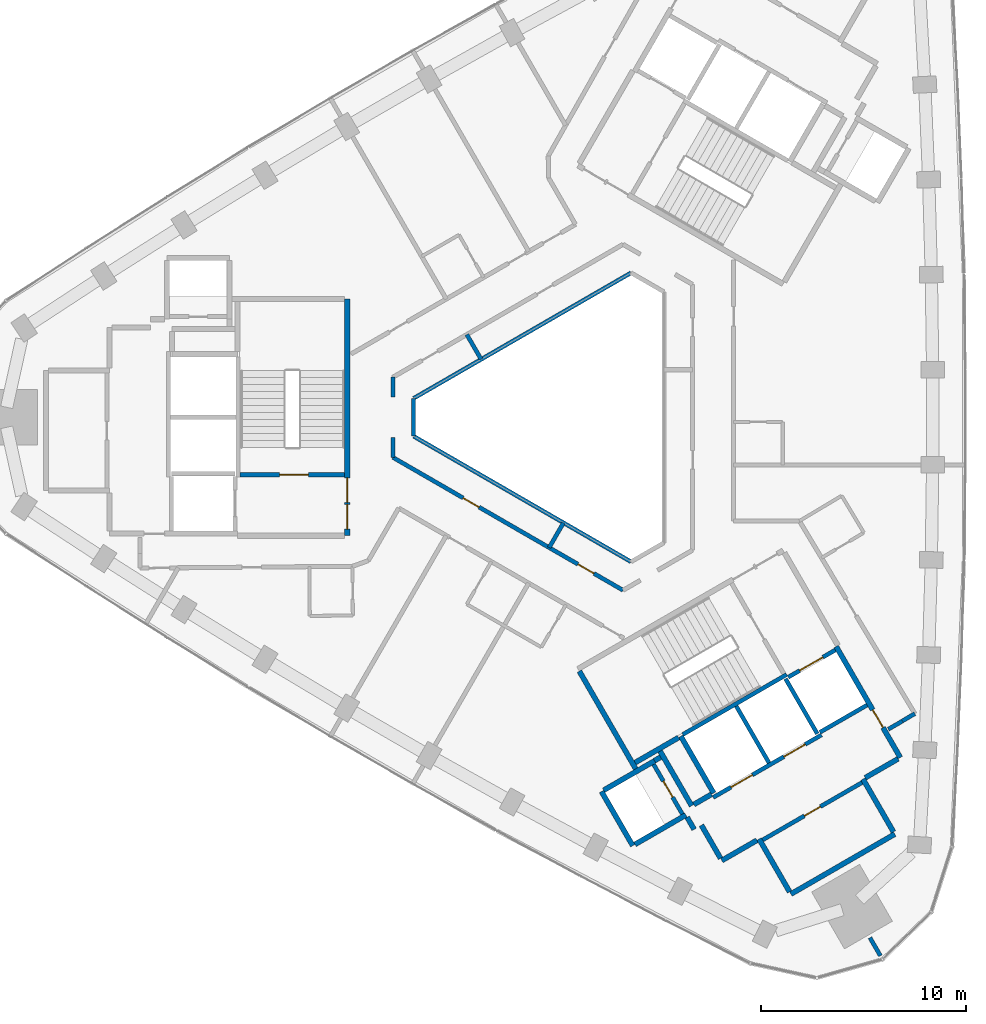
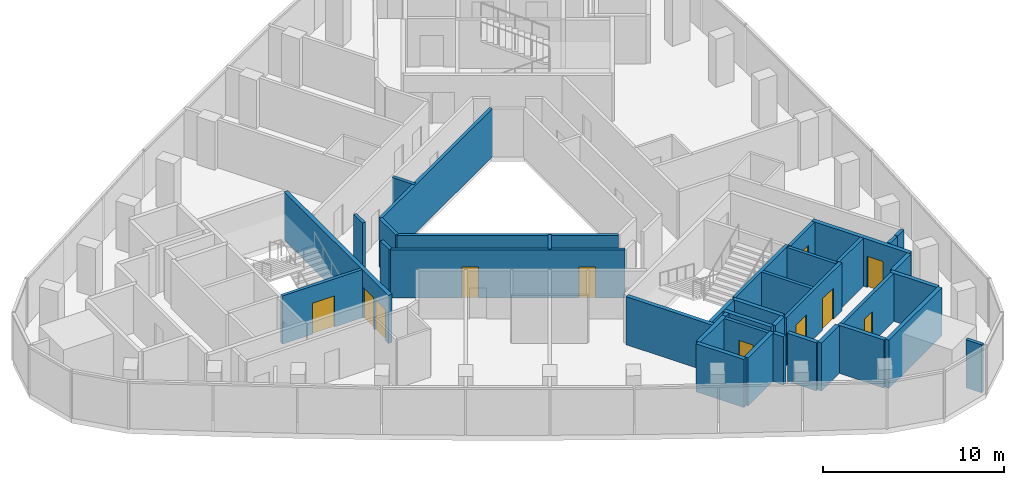
# One storey, part 8 of 12: 38 walls, 11 doors, 11 openings.
"""IFC4 building model written with IfcOpenShell, lengths in metres."""

from ifc_helpers import new_model, si_unit, direction, frame, frame_2d, origin, place, context, subcontext, project, spatial, rectangle, extrude, material, layer, layer_set, type_object, element, fill, save


model = new_model("IFC4")

# Units and contexts
model_context = context("Model", 3, precision=1e-05, world=origin(), true_north=direction((0.0, 1.0)))
body_context = subcontext(model_context, "Body", "Model", "MODEL_VIEW")
ifc_project = project(units=[si_unit("LENGTHUNIT", "METRE"), si_unit("AREAUNIT", "SQUARE_METRE"), si_unit("VOLUMEUNIT", "CUBIC_METRE"), si_unit("PLANEANGLEUNIT", "RADIAN"), si_unit("MASSUNIT", "GRAM", prefix="KILO")], contexts=[model_context])

# Site, building, storey
site_placement = place(None, origin())
site = spatial("IfcSite", under=ifc_project, at=site_placement, CompositionType="ELEMENT")
building_placement = place(site_placement, origin())
building = spatial("IfcBuilding", under=site, at=building_placement, Name="Tamra Quay Hotel Tower", CompositionType="ELEMENT")
storey_placement = place(building_placement, frame((0.0, 0.0, 179.199951171875)))
storey = spatial("IfcBuildingStorey", under=building, at=storey_placement, Name="L44", CompositionType="ELEMENT", Elevation=179.199951171875)

# Wall, opening, door
ifc_material_1 = material(Name="Concrete M70", Category="concrete")
ifc_layer_1 = layer(ifc_material_1, 0.199951171875)
ifc_layer_set_1 = layer_set([ifc_layer_1], Name="Concrete M70 core wall 200")
wall_type_1 = type_object("IfcWallType", Name="Concrete M70 core wall 200", PredefinedType="SHEAR", material=ifc_layer_set_1)
wall_1_placement = place(storey_placement, frame((-10.96337890625, -2.800048828125, 0.0), z_axis=(0.0, 0.0, 1.0), x_axis=(-1.0, 0.0, 0.0)))
wall_1 = element("IfcWall", 1, at=wall_1_placement, inside=storey, type_object=wall_type_1, Name="CW2", PredefinedType="SHEAR", context=body_context, shape_type="SweptSolid", body=[
    extrude(rectangle(XDim=5.097900390625, YDim=0.199951171875, at=frame_2d((2.548828125, 0.0))), origin(), (0.0, 0.0, 1.0), 3.25),
])
opening_1_placement = place(wall_1_placement, frame((1.77392578125, 0.0, 0.0)))
opening_1 = element("IfcOpeningElement", 2, at=opening_1_placement, cuts=wall_1, Name="Opening FD2", PredefinedType="OPENING", context=body_context, shape_type="SweptSolid", body=[
    extrude(rectangle(XDim=1.39990234375, YDim=2.10009765625, at=frame_2d((0.699951171875, 1.050048828125))), frame((0.0, 0.10986328125, 0.0), z_axis=(0.0, -1.0, 0.0), x_axis=(1.0, 0.0, 0.0)), (0.0, 0.0, 1.0), 0.219970703125),
])
ifc_material_2 = material(Name="Core door FD2 1400x2100 LH")
door_type_1 = type_object("IfcDoorType", Name="Core door FD2 1400x2100 LH", OperationType="NOTDEFINED", PredefinedType="DOOR", material=ifc_material_2)
door_1_placement = place(opening_1_placement, origin())
door_1 = element("IfcDoor", 3, at=door_1_placement, inside=storey, type_object=door_type_1, Name="FD2", OperationType="SINGLE_SWING_LEFT", OverallHeight=2.10009765625, OverallWidth=1.39990234375, PredefinedType="DOOR", context=body_context, shape_type="SweptSolid", body=[
    extrude(rectangle(XDim=1.39990234375, YDim=2.10009765625, at=frame_2d((0.699951171875, 1.050048828125))), frame((0.0, 0.02490234375, 0.0), z_axis=(0.0, -1.0, 0.0), x_axis=(1.0, 0.0, 0.0)), (0.0, 0.0, 1.0), 0.050048828125),
])
fill(opening_1, door_1)

# Wall
wall_2_placement = place(storey_placement, frame((5.525634765625, -15.47216796875, 0.0), z_axis=(0.0, 0.0, 1.0), x_axis=(0.866041752167, 0.499971682701, 0.0)))
element("IfcWall", 4, at=wall_2_placement, inside=storey, type_object=wall_type_1, Name="CW2", PredefinedType="SHEAR", context=body_context, shape_type="SweptSolid", body=[
    extrude(rectangle(XDim=5.850830078125, YDim=0.199951171875, at=frame_2d((2.92529296875, 0.0))), origin(), (0.0, 0.0, 1.0), 3.25),
])

# Wall, openings, doors
wall_3_placement = place(storey_placement, frame((7.009765625, -18.54150390625, 0.0), z_axis=(0.0, 0.0, 1.0), x_axis=(0.866030299012, 0.499991521122, 0.0)))
wall_3 = element("IfcWall", 5, at=wall_3_placement, inside=storey, type_object=wall_type_1, Name="CW2", PredefinedType="SHEAR", context=body_context, shape_type="SweptSolid", body=[
    extrude(rectangle(XDim=6.10009765625, YDim=0.199951171875, at=frame_2d((3.050048828125, 0.0))), origin(), (0.0, 0.0, 1.0), 3.25),
])
opening_2_placement = place(wall_3_placement, frame((1.0, 0.0, 0.0)))
opening_2 = element("IfcOpeningElement", 6, at=opening_2_placement, cuts=wall_3, Name="Opening LD", PredefinedType="OPENING", context=body_context, shape_type="SweptSolid", body=[
    extrude(rectangle(XDim=1.199951171875, YDim=2.10009765625, at=frame_2d((0.60009765625, 1.050048828125))), frame((0.0, 0.10986328125, 0.0), z_axis=(0.0, -1.0, 0.0), x_axis=(1.0, 0.0, 0.0)), (0.0, 0.0, 1.0), 0.219970703125),
])
opening_3_placement = place(wall_3_placement, frame((3.982177734375, 0.0, 0.0)))
opening_3 = element("IfcOpeningElement", 7, at=opening_3_placement, cuts=wall_3, Name="Opening LD", PredefinedType="OPENING", context=body_context, shape_type="SweptSolid", body=[
    extrude(rectangle(XDim=1.199951171875, YDim=2.10009765625, at=frame_2d((0.60009765625, 1.050048828125))), frame((0.0, 0.10986328125, 0.0), z_axis=(0.0, -1.0, 0.0), x_axis=(1.0, 0.0, 0.0)), (0.0, 0.0, 1.0), 0.219970703125),
])
ifc_material_3 = material(Name="Landing door LD 1200 double door sliding")
door_type_2 = type_object("IfcDoorType", Name="Landing door LD 1200 double door sliding", OperationType="DOUBLE_DOOR_SLIDING", PredefinedType="DOOR", material=ifc_material_3)
door_2_placement = place(opening_2_placement, origin())
door_2 = element("IfcDoor", 8, at=door_2_placement, inside=storey, type_object=door_type_2, Name="LD", OperationType="DOUBLE_DOOR_SLIDING", OverallHeight=2.10009765625, OverallWidth=1.199951171875, PredefinedType="DOOR", context=body_context, shape_type="SweptSolid", body=[
    extrude(rectangle(XDim=1.199951171875, YDim=2.10009765625, at=frame_2d((0.60009765625, 1.050048828125))), frame((0.0, 0.02490234375, 0.0), z_axis=(0.0, -1.0, 0.0), x_axis=(1.0, 0.0, 0.0)), (0.0, 0.0, 1.0), 0.050048828125),
])
fill(opening_2, door_2)
door_3_placement = place(opening_3_placement, origin())
door_3 = element("IfcDoor", 9, at=door_3_placement, inside=storey, type_object=door_type_2, Name="LD", OperationType="DOUBLE_DOOR_SLIDING", OverallHeight=2.10009765625, OverallWidth=1.199951171875, PredefinedType="DOOR", context=body_context, shape_type="SweptSolid", body=[
    extrude(rectangle(XDim=1.199951171875, YDim=2.10009765625, at=frame_2d((0.60009765625, 1.050048828125))), frame((0.0, 0.02490234375, 0.0), z_axis=(0.0, -1.0, 0.0), x_axis=(1.0, 0.0, 0.0)), (0.0, 0.0, 1.0), 0.050048828125),
])
fill(opening_3, door_3)

# Wall, opening, door
wall_4_placement = place(storey_placement, frame((14.26806640625, -17.815185546875, 0.0), z_axis=(0.0, 0.0, 1.0), x_axis=(-0.866033794273, -0.499985466966, 0.0)))
wall_4 = element("IfcWall", 10, at=wall_4_placement, inside=storey, type_object=wall_type_1, Name="CW2", PredefinedType="SHEAR", context=body_context, shape_type="SweptSolid", body=[
    extrude(rectangle(XDim=5.597900390625, YDim=0.199951171875, at=frame_2d((2.798828125, 0.0))), origin(), (0.0, 0.0, 1.0), 3.25),
])
opening_4_placement = place(wall_4_placement, frame((2.34912109375, 0.0, 0.0)))
opening_4 = element("IfcOpeningElement", 11, at=opening_4_placement, cuts=wall_4, Name="Opening D2", PredefinedType="OPENING", context=body_context, shape_type="SweptSolid", body=[
    extrude(rectangle(XDim=0.89990234375, YDim=2.10009765625, at=frame_2d((0.449951171875, 1.050048828125))), frame((0.0, 0.10986328125, 0.0), z_axis=(0.0, -1.0, 0.0), x_axis=(1.0, 0.0, 0.0)), (0.0, 0.0, 1.0), 0.219970703125),
])
ifc_material_4 = material(Name="Core door D2 900x2100 LH")
door_type_3 = type_object("IfcDoorType", Name="Core door D2 900x2100 LH", OperationType="NOTDEFINED", PredefinedType="DOOR", material=ifc_material_4)
door_4_placement = place(opening_4_placement, origin())
door_4 = element("IfcDoor", 12, at=door_4_placement, inside=storey, type_object=door_type_3, Name="D2", OperationType="SINGLE_SWING_LEFT", OverallHeight=2.10009765625, OverallWidth=0.89990234375, PredefinedType="DOOR", context=body_context, shape_type="SweptSolid", body=[
    extrude(rectangle(XDim=0.89990234375, YDim=2.10009765625, at=frame_2d((0.449951171875, 1.050048828125))), frame((0.0, 0.02490234375, 0.0), z_axis=(0.0, -1.0, 0.0), x_axis=(1.0, 0.0, 0.0)), (0.0, 0.0, 1.0), 0.050048828125),
])
fill(opening_4, door_4)

# Wall
wall_5_placement = place(storey_placement, frame((8.131591796875, -14.084228515625, 0.0), z_axis=(0.0, 0.0, 1.0), x_axis=(0.499997778408, -0.866026686418, 0.0)))
element("IfcWall", 13, at=wall_5_placement, inside=storey, type_object=wall_type_1, Name="CW2", PredefinedType="SHEAR", context=body_context, shape_type="SweptSolid", body=[
    extrude(rectangle(XDim=3.1982421875, YDim=0.199951171875, at=frame_2d((1.59912109375, 0.0))), origin(), (0.0, 0.0, 1.0), 3.25),
])

# Wall, opening, door
wall_6_placement = place(storey_placement, frame((5.50341796875, -19.352294921875, 0.0), z_axis=(0.0, 0.0, 1.0), x_axis=(-0.499986818241, 0.866033014143, 0.0)))
wall_6 = element("IfcWall", 14, at=wall_6_placement, inside=storey, type_object=wall_type_1, Name="CW2", PredefinedType="SHEAR", context=body_context, shape_type="SweptSolid", body=[
    extrude(rectangle(XDim=2.7978515625, YDim=0.199951171875, at=frame_2d((1.39892578125, 0.0))), origin(), (0.0, 0.0, 1.0), 3.25),
])
opening_5_placement = place(wall_6_placement, frame((0.948974609375, 0.0, 0.0)))
opening_5 = element("IfcOpeningElement", 15, at=opening_5_placement, cuts=wall_6, Name="Opening D1", PredefinedType="OPENING", context=body_context, shape_type="SweptSolid", body=[
    extrude(rectangle(XDim=0.89990234375, YDim=2.10009765625, at=frame_2d((0.449951171875, 1.050048828125))), frame((0.0, 0.10986328125, 0.0), z_axis=(0.0, -1.0, 0.0), x_axis=(1.0, 0.0, 0.0)), (0.0, 0.0, 1.0), 0.219970703125),
])
ifc_material_5 = material(Name="Core door D1 900x2100 RH")
door_type_4 = type_object("IfcDoorType", Name="Core door D1 900x2100 RH", OperationType="NOTDEFINED", PredefinedType="DOOR", material=ifc_material_5)
door_5_placement = place(opening_5_placement, origin())
door_5 = element("IfcDoor", 16, at=door_5_placement, inside=storey, type_object=door_type_4, Name="D1", OperationType="SINGLE_SWING_RIGHT", OverallHeight=2.10009765625, OverallWidth=0.89990234375, PredefinedType="DOOR", context=body_context, shape_type="SweptSolid", body=[
    extrude(rectangle(XDim=0.89990234375, YDim=2.10009765625, at=frame_2d((0.449951171875, 1.050048828125))), frame((0.0, 0.02490234375, 0.0), z_axis=(0.0, -1.0, 0.0), x_axis=(1.0, 0.0, 0.0)), (0.0, 0.0, 1.0), 0.050048828125),
])
fill(opening_5, door_5)

# Wall
wall_7_placement = place(storey_placement, frame((12.087646484375, -15.4365234375, 0.0), z_axis=(0.0, 0.0, 1.0), x_axis=(-0.500026960575, 0.86600983753, 0.0)))
element("IfcWall", 17, at=wall_7_placement, inside=storey, type_object=wall_type_1, Name="CW2", PredefinedType="SHEAR", context=body_context, shape_type="SweptSolid", body=[
    extrude(rectangle(XDim=3.099853515625, YDim=0.199951171875, at=frame_2d((1.5498046875, 0.0))), origin(), (0.0, 0.0, 1.0), 3.25),
])

# Wall, opening, door
wall_8_placement = place(storey_placement, frame((10.666015625, -12.677734375, 0.0), z_axis=(0.0, 0.0, 1.0), x_axis=(0.866018407898, 0.500012117035, 0.0)))
wall_8 = element("IfcWall", 18, at=wall_8_placement, inside=storey, type_object=wall_type_1, Name="CW2", PredefinedType="SHEAR", context=body_context, shape_type="SweptSolid", body=[
    extrude(rectangle(XDim=2.65087890625, YDim=0.199951171875, at=frame_2d((1.325439453125, 0.0))), origin(), (0.0, 0.0, 1.0), 3.25),
])
opening_6_placement = place(wall_8_placement, frame((0.65185546875, 0.0, 0.0)))
opening_6 = element("IfcOpeningElement", 19, at=opening_6_placement, cuts=wall_8, Name="Opening LD", PredefinedType="OPENING", context=body_context, shape_type="SweptSolid", body=[
    extrude(rectangle(XDim=1.300048828125, YDim=2.10009765625, at=frame_2d((0.64990234375, 1.050048828125))), frame((0.0, 0.10986328125, 0.0), z_axis=(0.0, -1.0, 0.0), x_axis=(1.0, 0.0, 0.0)), (0.0, 0.0, 1.0), 0.219970703125),
])
ifc_material_6 = material(Name="Landing door LD 1300 sliding to right")
door_type_5 = type_object("IfcDoorType", Name="Landing door LD 1300 sliding to right", OperationType="NOTDEFINED", PredefinedType="DOOR", material=ifc_material_6)
door_6_placement = place(opening_6_placement, origin())
door_6 = element("IfcDoor", 20, at=door_6_placement, inside=storey, type_object=door_type_5, Name="LD", OperationType="SLIDING_TO_RIGHT", OverallHeight=2.10009765625, OverallWidth=1.300048828125, PredefinedType="DOOR", context=body_context, shape_type="SweptSolid", body=[
    extrude(rectangle(XDim=1.300048828125, YDim=2.10009765625, at=frame_2d((0.64990234375, 1.050048828125))), frame((0.0, 0.02490234375, 0.0), z_axis=(0.0, -1.0, 0.0), x_axis=(1.0, 0.0, 0.0)), (0.0, 0.0, 1.0), 0.050048828125),
])
fill(opening_6, door_6)

# Wall
wall_9_placement = place(storey_placement, frame((14.51171875, -14.037109375, 0.0), z_axis=(0.0, 0.0, 1.0), x_axis=(-0.866018407898, -0.500012117035, 0.0)))
element("IfcWall", 21, at=wall_9_placement, inside=storey, type_object=wall_type_1, Name="CW2", PredefinedType="SHEAR", context=body_context, shape_type="SweptSolid", body=[
    extrude(rectangle(XDim=2.65087890625, YDim=0.199951171875, at=frame_2d((1.325439453125, 0.0))), origin(), (0.0, 0.0, 1.0), 3.25),
])

# Wall, openings, doors
ifc_layer_2 = layer(ifc_material_1, 0.25)
ifc_layer_set_2 = layer_set([ifc_layer_2], Name="Concrete M70 core wall 250")
wall_type_2 = type_object("IfcWallType", Name="Concrete M70 core wall 250", PredefinedType="SHEAR", material=ifc_layer_set_2)
wall_10_placement = place(storey_placement, frame((-10.83740234375, 5.77490234375, 0.0), z_axis=(0.0, 0.0, 1.0), x_axis=(0.0, -1.0, 0.0)))
wall_10 = element("IfcWall", 22, at=wall_10_placement, inside=storey, type_object=wall_type_2, Name="CW1", PredefinedType="SHEAR", context=body_context, shape_type="SweptSolid", body=[
    extrude(rectangle(XDim=11.5498046875, YDim=0.25, at=frame_2d((5.77490234375, 0.0))), origin(), (0.0, 0.0, 1.0), 3.25),
])
opening_7_placement = place(wall_10_placement, frame((10.02490234375, 0.0, 0.0)))
opening_7 = element("IfcOpeningElement", 23, at=opening_7_placement, cuts=wall_10, Name="Opening FD1", PredefinedType="OPENING", context=body_context, shape_type="SweptSolid", body=[
    extrude(rectangle(XDim=1.199951171875, YDim=2.10009765625, at=frame_2d((0.60009765625, 1.050048828125))), frame((0.0, 0.135009765625, 0.0), z_axis=(0.0, -1.0, 0.0), x_axis=(1.0, 0.0, 0.0)), (0.0, 0.0, 1.0), 0.27001953125),
])
opening_8_placement = place(wall_10_placement, frame((8.72509765625, 0.0, 0.0)))
opening_8 = element("IfcOpeningElement", 24, at=opening_8_placement, cuts=wall_10, Name="Opening FD1", PredefinedType="OPENING", context=body_context, shape_type="SweptSolid", body=[
    extrude(rectangle(XDim=1.199951171875, YDim=2.10009765625, at=frame_2d((0.60009765625, 1.050048828125))), frame((0.0, 0.135009765625, 0.0), z_axis=(0.0, -1.0, 0.0), x_axis=(1.0, 0.0, 0.0)), (0.0, 0.0, 1.0), 0.27001953125),
])
ifc_material_7 = material(Name="Core door FD1 1200x2100 LH")
door_type_6 = type_object("IfcDoorType", Name="Core door FD1 1200x2100 LH", OperationType="NOTDEFINED", PredefinedType="DOOR", material=ifc_material_7)
door_7_placement = place(opening_7_placement, origin())
door_7 = element("IfcDoor", 25, at=door_7_placement, inside=storey, type_object=door_type_6, Name="FD1", OperationType="SINGLE_SWING_LEFT", OverallHeight=2.10009765625, OverallWidth=1.199951171875, PredefinedType="DOOR", context=body_context, shape_type="SweptSolid", body=[
    extrude(rectangle(XDim=1.199951171875, YDim=2.10009765625, at=frame_2d((0.60009765625, 1.050048828125))), frame((0.0, 0.02490234375, 0.0), z_axis=(0.0, -1.0, 0.0), x_axis=(1.0, 0.0, 0.0)), (0.0, 0.0, 1.0), 0.050048828125),
])
fill(opening_7, door_7)
ifc_material_8 = material(Name="Core door FD1 1200x2100 RH")
door_type_7 = type_object("IfcDoorType", Name="Core door FD1 1200x2100 RH", OperationType="NOTDEFINED", PredefinedType="DOOR", material=ifc_material_8)
door_8_placement = place(opening_8_placement, origin())
door_8 = element("IfcDoor", 26, at=door_8_placement, inside=storey, type_object=door_type_7, Name="FD1", OperationType="SINGLE_SWING_RIGHT", OverallHeight=2.10009765625, OverallWidth=1.199951171875, PredefinedType="DOOR", context=body_context, shape_type="SweptSolid", body=[
    extrude(rectangle(XDim=1.199951171875, YDim=2.10009765625, at=frame_2d((0.60009765625, 1.050048828125))), frame((0.0, 0.02490234375, 0.0), z_axis=(0.0, -1.0, 0.0), x_axis=(1.0, 0.0, 0.0)), (0.0, 0.0, 1.0), 0.050048828125),
])
fill(opening_8, door_8)

# Wall, opening, door
wall_11_placement = place(storey_placement, frame((13.00830078125, -11.18115234375, 0.0), z_axis=(0.0, 0.0, 1.0), x_axis=(0.500004234368, -0.866022959057, 0.0)))
wall_11 = element("IfcWall", 27, at=wall_11_placement, inside=storey, type_object=wall_type_2, Name="CW1", PredefinedType="SHEAR", context=body_context, shape_type="SweptSolid", body=[
    extrude(rectangle(XDim=6.25, YDim=0.25, at=frame_2d((3.125, 0.0))), origin(), (0.0, 0.0, 1.0), 3.25),
])
opening_9_placement = place(wall_11_placement, frame((3.562744140625, 0.0, 0.0)))
opening_9 = element("IfcOpeningElement", 28, at=opening_9_placement, cuts=wall_11, Name="Opening FD3", PredefinedType="OPENING", context=body_context, shape_type="SweptSolid", body=[
    extrude(rectangle(XDim=1.0, YDim=2.10009765625, at=frame_2d((0.5, 1.050048828125))), frame((0.0, 0.135009765625, 0.0), z_axis=(0.0, -1.0, 0.0), x_axis=(1.0, 0.0, 0.0)), (0.0, 0.0, 1.0), 0.27001953125),
])
ifc_material_9 = material(Name="Core door FD3 1000x2100 LH")
door_type_8 = type_object("IfcDoorType", Name="Core door FD3 1000x2100 LH", OperationType="NOTDEFINED", PredefinedType="DOOR", material=ifc_material_9)
door_9_placement = place(opening_9_placement, origin())
door_9 = element("IfcDoor", 29, at=door_9_placement, inside=storey, type_object=door_type_8, Name="FD3", OperationType="SINGLE_SWING_LEFT", OverallHeight=2.10009765625, OverallWidth=1.0, PredefinedType="DOOR", context=body_context, shape_type="SweptSolid", body=[
    extrude(rectangle(XDim=1.0, YDim=2.10009765625, at=frame_2d((0.5, 1.050048828125))), frame((0.0, 0.02490234375, 0.0), z_axis=(0.0, -1.0, 0.0), x_axis=(1.0, 0.0, 0.0)), (0.0, 0.0, 1.0), 0.050048828125),
])
fill(opening_9, door_9)

# Walls
wall_12_placement = place(storey_placement, frame((15.86474609375, -20.328369140625, 0.0), z_axis=(0.0, 0.0, 1.0), x_axis=(-0.86602852612, -0.499994591916, 0.0)))
element("IfcWall", 30, at=wall_12_placement, inside=storey, type_object=wall_type_2, Name="CW1", PredefinedType="SHEAR", context=body_context, shape_type="SweptSolid", body=[
    extrude(rectangle(XDim=5.85009765625, YDim=0.25, at=frame_2d((2.925048828125, 0.0))), origin(), (0.0, 0.0, 1.0), 3.25),
])
wall_13_placement = place(storey_placement, frame((3.23486328125, -17.15283203125, 0.0), z_axis=(0.0, 0.0, 1.0), x_axis=(-0.500008851346, 0.866020293397, 0.0)))
element("IfcWall", 31, at=wall_13_placement, inside=storey, type_object=wall_type_2, Name="CW1", PredefinedType="SHEAR", context=body_context, shape_type="SweptSolid", body=[
    extrude(rectangle(XDim=5.509765625, YDim=0.25, at=frame_2d((2.7548828125, 0.0))), origin(), (0.0, 0.0, 1.0), 3.25),
])
wall_14_placement = place(storey_placement, frame((7.030517578125, -18.327392578125, 0.0), z_axis=(0.0, 0.0, 1.0), x_axis=(-0.499971222258, 0.866042017984, 0.0)))
element("IfcWall", 32, at=wall_14_placement, inside=storey, type_object=wall_type_2, Name="CW1", PredefinedType="SHEAR", context=body_context, shape_type="SweptSolid", body=[
    extrude(rectangle(XDim=3.199951171875, YDim=0.25, at=frame_2d((1.60009765625, 0.0))), origin(), (0.0, 0.0, 1.0), 3.25),
])
for number, where, z_axis, x_axis, name in (
    (33, (14.314697265625, -17.643798828125, 0.0), (0.0, 0.0, 1.0), (0.500023226632, -0.866011993467, 0.0), "CW1"),
    (34, (10.73583984375, -23.144775390625, 0.0), (0.0, 0.0, 1.0), (-0.500023226632, 0.866011993467, 0.0), "CW1"),
):
    element("IfcWall", number, at=place(storey_placement, frame(where, z_axis=z_axis, x_axis=x_axis)), inside=storey, type_object=wall_type_2, Name=name, PredefinedType="SHEAR", context=body_context, shape_type="SweptSolid", body=[
        extrude(rectangle(XDim=2.974365234375, YDim=0.25, at=frame_2d((1.4873046875, 0.0))), origin(), (0.0, 0.0, 1.0), 3.25),
    ])
wall_15_placement = place(storey_placement, frame((3.085205078125, -20.893798828125, 0.0), z_axis=(0.0, 0.0, 1.0), x_axis=(-0.499978833458, 0.866037623948, 0.0)))
element("IfcWall", 35, at=wall_15_placement, inside=storey, type_object=wall_type_2, Name="CW1", PredefinedType="SHEAR", context=body_context, shape_type="SweptSolid", body=[
    extrude(rectangle(XDim=3.050048828125, YDim=0.25, at=frame_2d((1.52490234375, 0.0))), origin(), (0.0, 0.0, 1.0), 3.25),
])
wall_16_placement = place(storey_placement, frame((1.6689453125, -18.189697265625, 0.0), z_axis=(0.0, 0.0, 1.0), x_axis=(0.866042235819, 0.499970844928, 0.0)))
element("IfcWall", 36, at=wall_16_placement, inside=storey, type_object=wall_type_2, Name="CW1", PredefinedType="SHEAR", context=body_context, shape_type="SweptSolid", body=[
    extrude(rectangle(XDim=2.864501953125, YDim=0.25, at=frame_2d((1.43212890625, 0.0))), origin(), (0.0, 0.0, 1.0), 3.25),
])
wall_17_placement = place(storey_placement, frame((5.6748046875, -19.39892578125, 0.0), z_axis=(0.0, 0.0, 1.0), x_axis=(-0.866026637627, -0.499997862916, 0.0)))
element("IfcWall", 37, at=wall_17_placement, inside=storey, type_object=wall_type_2, Name="CW1", PredefinedType="SHEAR", context=body_context, shape_type="SweptSolid", body=[
    extrude(rectangle(XDim=2.86474609375, YDim=0.25, at=frame_2d((1.432373046875, 0.0))), origin(), (0.0, 0.0, 1.0), 3.25),
])
wall_18_placement = place(storey_placement, frame((4.414306640625, -16.275634765625, 0.0), z_axis=(0.0, 0.0, 1.0), x_axis=(0.500003324108, -0.866023484601, 0.0)))
element("IfcWall", 38, at=wall_18_placement, inside=storey, type_object=wall_type_2, Name="CW1", PredefinedType="SHEAR", context=body_context, shape_type="SweptSolid", body=[
    extrude(rectangle(XDim=3.0849609375, YDim=0.25, at=frame_2d((1.54248046875, 0.0))), origin(), (0.0, 0.0, 1.0), 3.25),
])
wall_19_placement = place(storey_placement, frame((5.322021484375, -15.618896484375, 0.0), z_axis=(0.0, 0.0, 1.0), x_axis=(-0.866026229868, -0.499998569178, 0.0)))
element("IfcWall", 39, at=wall_19_placement, inside=storey, type_object=wall_type_2, Name="CW1", PredefinedType="SHEAR", context=body_context, shape_type="SweptSolid", body=[
    extrude(rectangle(XDim=2.44921875, YDim=0.25, at=frame_2d((1.224609375, 0.0))), origin(), (0.0, 0.0, 1.0), 3.25),
])
wall_20_placement = place(storey_placement, frame((9.139892578125, -20.63134765625, 0.0), z_axis=(0.0, 0.0, 1.0), x_axis=(-0.866043531843, -0.499968599967, 0.0)))
element("IfcWall", 40, at=wall_20_placement, inside=storey, type_object=wall_type_2, Name="CW1", PredefinedType="SHEAR", context=body_context, shape_type="SweptSolid", body=[
    extrude(rectangle(XDim=1.974853515625, YDim=0.25, at=frame_2d((0.9873046875, 0.0))), origin(), (0.0, 0.0, 1.0), 3.25),
])
wall_21_placement = place(storey_placement, frame((16.024658203125, -16.656494140625, 0.0), z_axis=(0.0, 0.0, 1.0), x_axis=(-0.866016279763, -0.500015802937, 0.0)))
element("IfcWall", 41, at=wall_21_placement, inside=storey, type_object=wall_type_2, Name="CW1", PredefinedType="SHEAR", context=body_context, shape_type="SweptSolid", body=[
    extrude(rectangle(XDim=1.84912109375, YDim=0.25, at=frame_2d((0.924560546875, 0.0))), origin(), (0.0, 0.0, 1.0), 3.25),
])
wall_22_placement = place(storey_placement, frame((7.3671875, -21.51025390625, 0.0), z_axis=(0.0, 0.0, 1.0), x_axis=(-0.499983108224, 0.866035156036, 0.0)))
element("IfcWall", 42, at=wall_22_placement, inside=storey, type_object=wall_type_2, Name="CW1", PredefinedType="SHEAR", context=body_context, shape_type="SweptSolid", body=[
    extrude(rectangle(XDim=1.86474609375, YDim=0.25, at=frame_2d((0.932373046875, 0.0))), origin(), (0.0, 0.0, 1.0), 3.25),
])
wall_23_placement = place(storey_placement, frame((6.0654296875, -18.884765625, 0.0), z_axis=(0.0, 0.0, 1.0), x_axis=(0.866017078145, 0.500014420154, 0.0)))
element("IfcWall", 43, at=wall_23_placement, inside=storey, type_object=wall_type_2, Name="CW1", PredefinedType="SHEAR", context=body_context, shape_type="SweptSolid", body=[
    extrude(rectangle(XDim=0.9892578125, YDim=0.25, at=frame_2d((0.49462890625, 0.0))), origin(), (0.0, 0.0, 1.0), 3.25),
])
wall_24_placement = place(storey_placement, frame((6.07958984375, -20.100341796875, 0.0), z_axis=(0.0, 0.0, 1.0), x_axis=(-0.500051773299, 0.865995510393, 0.0)))
element("IfcWall", 44, at=wall_24_placement, inside=storey, type_object=wall_type_2, Name="CW1", PredefinedType="SHEAR", context=body_context, shape_type="SweptSolid", body=[
    extrude(rectangle(XDim=0.6845703125, YDim=0.25, at=frame_2d((0.34228515625, 0.0))), origin(), (0.0, 0.0, 1.0), 3.25),
])
wall_25_placement = place(storey_placement, frame((4.144775390625, -16.748779296875, 0.0), z_axis=(0.0, 0.0, 1.0), x_axis=(0.866185586049, 0.49972245349, 0.0)))
element("IfcWall", 45, at=wall_25_placement, inside=storey, type_object=wall_type_2, Name="CW1", PredefinedType="SHEAR", context=body_context, shape_type="SweptSolid", body=[
    extrude(rectangle(XDim=0.344482421875, YDim=0.25, at=frame_2d((0.17236328125, 0.0))), origin(), (0.0, 0.0, 1.0), 3.25),
])
ifc_material_10 = material(Name="Partition corridor wall")
ifc_layer_3 = layer(ifc_material_10, 0.199951171875)
ifc_layer_set_3 = layer_set([ifc_layer_3], Name="Partition corridor wall")
wall_type_3 = type_object("IfcWallType", Name="Partition corridor wall", PredefinedType="PARTITIONING", material=ifc_layer_set_3)
wall_26_placement = place(storey_placement, frame((-8.612060546875, -1.9560546875, 0.0), z_axis=(0.0, 0.0, 1.0), x_axis=(0.0, 1.0, 0.0)))
element("IfcWall", 46, at=wall_26_placement, inside=storey, type_object=wall_type_3, Name="W-C", PredefinedType="PARTITIONING", context=body_context, shape_type="SweptSolid", body=[
    extrude(rectangle(XDim=0.97412109375, YDim=0.199951171875, at=frame_2d((0.487060546875, 0.0))), origin(), (0.0, 0.0, 1.0), 3.25),
])

# Wall, openings, doors
wall_27_placement = place(storey_placement, frame((-8.612060546875, -1.9560546875, 0.0), z_axis=(0.0, 0.0, 1.0), x_axis=(0.866034386606, -0.499984440973, 0.0)))
wall_27 = element("IfcWall", 47, at=wall_27_placement, inside=storey, type_object=wall_type_3, Name="W-C", PredefinedType="PARTITIONING", context=body_context, shape_type="SweptSolid", body=[
    extrude(rectangle(XDim=12.96044921875, YDim=0.199951171875, at=frame_2d((6.480224609375, 0.0))), origin(), (0.0, 0.0, 1.0), 3.25),
])
opening_10_placement = place(wall_27_placement, frame((3.955078125, 0.0, 0.0)))
opening_10 = element("IfcOpeningElement", 48, at=opening_10_placement, cuts=wall_27, Name="Opening L44-D021", PredefinedType="OPENING", context=body_context, shape_type="SweptSolid", body=[
    extrude(rectangle(XDim=0.89990234375, YDim=2.10009765625, at=frame_2d((0.449951171875, 1.050048828125))), frame((0.0, 0.10986328125, 0.0), z_axis=(0.0, -1.0, 0.0), x_axis=(1.0, 0.0, 0.0)), (0.0, 0.0, 1.0), 0.219970703125),
])
opening_11_placement = place(wall_27_placement, frame((10.423828125, 0.0, 0.0)))
opening_11 = element("IfcOpeningElement", 49, at=opening_11_placement, cuts=wall_27, Name="Opening L44-D022", PredefinedType="OPENING", context=body_context, shape_type="SweptSolid", body=[
    extrude(rectangle(XDim=0.89990234375, YDim=2.10009765625, at=frame_2d((0.449951171875, 1.050048828125))), frame((0.0, 0.10986328125, 0.0), z_axis=(0.0, -1.0, 0.0), x_axis=(1.0, 0.0, 0.0)), (0.0, 0.0, 1.0), 0.219970703125),
])
ifc_material_11 = material(Name="Door service room 900x2100")
door_type_9 = type_object("IfcDoorType", Name="Door service room 900x2100", OperationType="NOTDEFINED", PredefinedType="DOOR", material=ifc_material_11)
door_10_placement = place(opening_10_placement, origin())
door_10 = element("IfcDoor", 50, at=door_10_placement, inside=storey, type_object=door_type_9, Name="L44-D021", OperationType="SINGLE_SWING_LEFT", OverallHeight=2.10009765625, OverallWidth=0.89990234375, PredefinedType="DOOR", context=body_context, shape_type="SweptSolid", body=[
    extrude(rectangle(XDim=0.89990234375, YDim=2.10009765625, at=frame_2d((0.449951171875, 1.050048828125))), frame((0.0, 0.02490234375, 0.0), z_axis=(0.0, -1.0, 0.0), x_axis=(1.0, 0.0, 0.0)), (0.0, 0.0, 1.0), 0.050048828125),
])
fill(opening_10, door_10)
door_11_placement = place(opening_11_placement, origin())
door_11 = element("IfcDoor", 51, at=door_11_placement, inside=storey, type_object=door_type_9, Name="L44-D022", OperationType="SINGLE_SWING_LEFT", OverallHeight=2.10009765625, OverallWidth=0.89990234375, PredefinedType="DOOR", context=body_context, shape_type="SweptSolid", body=[
    extrude(rectangle(XDim=0.89990234375, YDim=2.10009765625, at=frame_2d((0.449951171875, 1.050048828125))), frame((0.0, 0.02490234375, 0.0), z_axis=(0.0, -1.0, 0.0), x_axis=(1.0, 0.0, 0.0)), (0.0, 0.0, 1.0), 0.050048828125),
])
fill(opening_11, door_11)

# Walls
wall_28_placement = place(storey_placement, frame((-8.612060546875, 0.98193359375, 0.0), z_axis=(0.0, 0.0, 1.0), x_axis=(0.0, 1.0, 0.0)))
element("IfcWall", 52, at=wall_28_placement, inside=storey, type_object=wall_type_3, Name="W-C", PredefinedType="PARTITIONING", context=body_context, shape_type="SweptSolid", body=[
    extrude(rectangle(XDim=0.97412109375, YDim=0.199951171875, at=frame_2d((0.487060546875, 0.0))), origin(), (0.0, 0.0, 1.0), 3.25),
])
wall_29_placement = place(storey_placement, frame((15.5498046875, -15.213134765625, 0.0), z_axis=(0.0, 0.0, 1.0), x_axis=(0.865989998118, 0.500061319399, 0.0)))
element("IfcWall", 53, at=wall_29_placement, inside=storey, type_object=wall_type_3, Name="W-C", PredefinedType="PARTITIONING", context=body_context, shape_type="SweptSolid", body=[
    extrude(rectangle(XDim=0.7900390625, YDim=0.199951171875, at=frame_2d((0.39501953125, 0.0))), origin(), (0.0, 0.0, 1.0), 3.25),
])
wall_30_placement = place(storey_placement, frame((16.23291015625, -14.81201171875, 0.0), z_axis=(0.0, 0.0, 1.0), x_axis=(0.862137800155, 0.506673872964, 0.0)))
element("IfcWall", 54, at=wall_30_placement, inside=storey, type_object=wall_type_3, Name="W-C", PredefinedType="PARTITIONING", context=body_context, shape_type="SweptSolid", body=[
    extrude(rectangle(XDim=0.708740234375, YDim=0.199951171875, at=frame_2d((0.3544921875, 0.0))), origin(), (0.0, 0.0, 1.0), 3.25),
])
ifc_material_12 = material(Name="Partition party wall")
ifc_layer_4 = layer(ifc_material_12, 0.199951171875)
ifc_layer_set_4 = layer_set([ifc_layer_4], Name="Partition party wall")
wall_type_4 = type_object("IfcWallType", Name="Partition party wall", PredefinedType="PARTITIONING", material=ifc_layer_set_4)
for number, where, z_axis, x_axis, name in (
    (55, (-7.60009765625, 0.924072265625, 0.0), (0.0, 0.0, 1.0), (0.866028806638, 0.499994106039, 0.0), "W-P"),
    (56, (-7.60009765625, -0.924072265625, 0.0), (0.0, 0.0, 1.0), (0.866028806638, -0.499994106039, 0.0), "W-P"),
):
    element("IfcWall", number, at=place(storey_placement, frame(where, z_axis=z_axis, x_axis=x_axis)), inside=storey, type_object=wall_type_4, Name=name, PredefinedType="PARTITIONING", context=body_context, shape_type="SweptSolid", body=[
        extrude(rectangle(XDim=12.239990234375, YDim=0.199951171875, at=frame_2d((6.1201171875, 0.0))), origin(), (0.0, 0.0, 1.0), 3.25),
    ])
wall_31_placement = place(storey_placement, frame((-7.60009765625, -0.924072265625, 0.0), z_axis=(0.0, 0.0, 1.0), x_axis=(0.0, 1.0, 0.0)))
element("IfcWall", 57, at=wall_31_placement, inside=storey, type_object=wall_type_4, Name="W-P", PredefinedType="PARTITIONING", context=body_context, shape_type="SweptSolid", body=[
    extrude(rectangle(XDim=1.84814453125, YDim=0.199951171875, at=frame_2d((0.924072265625, 0.0))), origin(), (0.0, 0.0, 1.0), 3.25),
])
wall_32_placement = place(storey_placement, frame((-5.00830078125, 4.036865234375, 0.0), z_axis=(0.0, 0.0, 1.0), x_axis=(0.49996389635, -0.866046247233, 0.0)))
element("IfcWall", 58, at=wall_32_placement, inside=storey, type_object=wall_type_4, Name="W-P", PredefinedType="PARTITIONING", context=body_context, shape_type="SweptSolid", body=[
    extrude(rectangle(XDim=1.400390625, YDim=0.199951171875, at=frame_2d((0.7001953125, 0.0))), origin(), (0.0, 0.0, 1.0), 3.25),
])
wall_33_placement = place(storey_placement, frame((-0.99169921875, -6.355224609375, 0.0), z_axis=(0.0, 0.0, 1.0), x_axis=(0.500059638837, 0.865990968548, 0.0)))
element("IfcWall", 59, at=wall_33_placement, inside=storey, type_object=wall_type_4, Name="W-P", PredefinedType="PARTITIONING", context=body_context, shape_type="SweptSolid", body=[
    extrude(rectangle(XDim=1.399658203125, YDim=0.199951171875, at=frame_2d((0.69970703125, 0.0))), origin(), (0.0, 0.0, 1.0), 3.25),
])
wall_34_placement = place(storey_placement, frame((14.655029296875, -25.382080078125, 0.0), z_axis=(0.0, 0.0, 1.0), x_axis=(0.49921010478, -0.86648096995, 0.0)))
element("IfcWall", 60, at=wall_34_placement, inside=storey, type_object=wall_type_4, Name="W-P", PredefinedType="PARTITIONING", context=body_context, shape_type="SweptSolid", body=[
    extrude(rectangle(XDim=1.017822265625, YDim=0.199951171875, at=frame_2d((0.5087890625, 0.0))), origin(), (0.0, 0.0, 1.0), 3.25),
])

save(model, "model.ifc")
